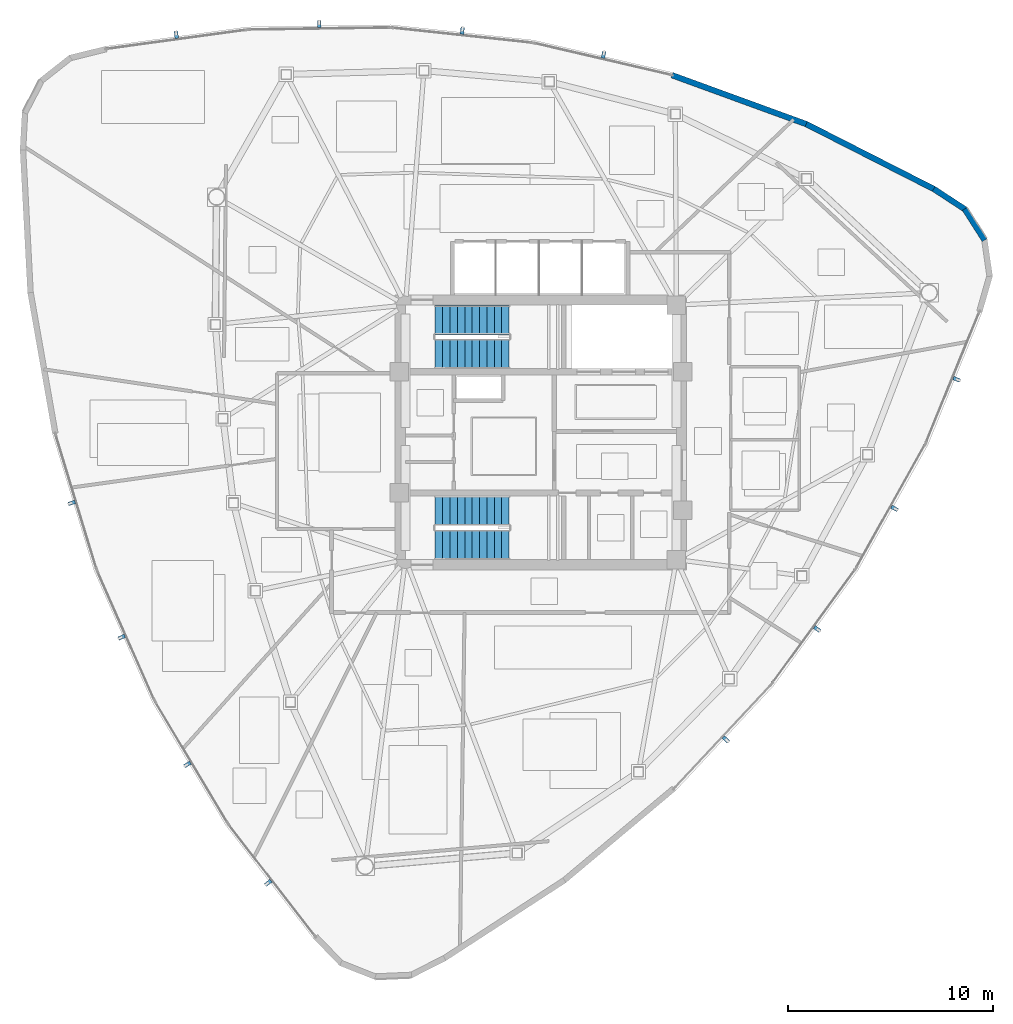
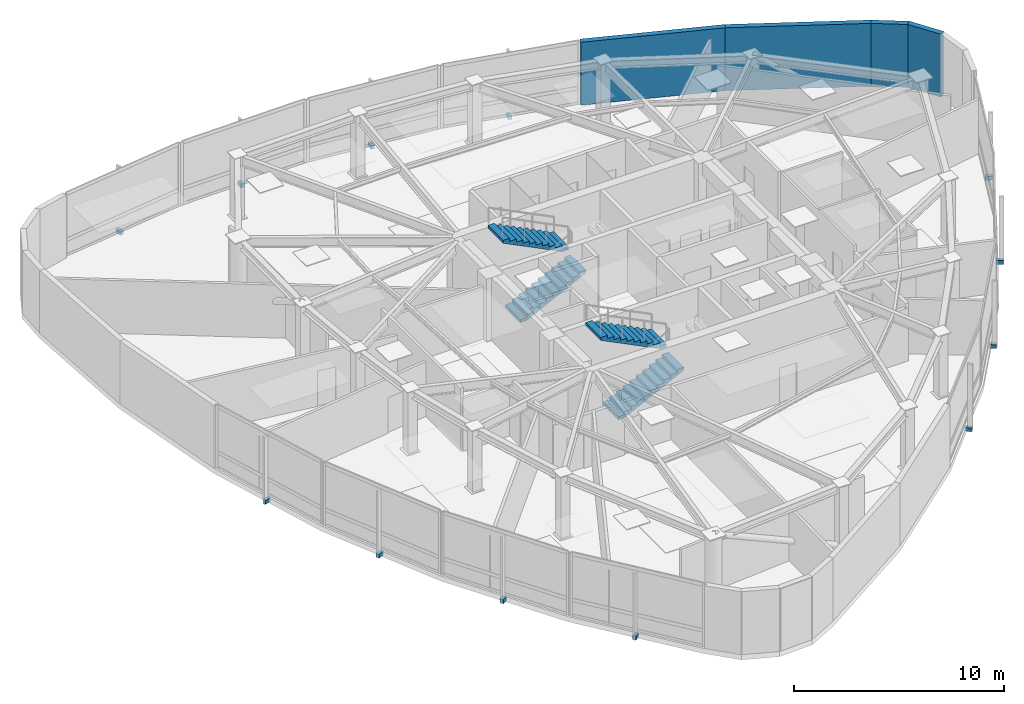
# One storey, part 11 of 14: 12 discrete accessories, 4 stair flights, 4 walls, 2 elements without a shape of their own.
"""IFC4 building model written with IfcOpenShell, lengths in metres."""

from ifc_helpers import new_model, si_unit, direction, frame, frame_2d, origin, origin_2d, place, context, subcontext, project, spatial, polyline, rectangle, outline, extrude, source, transform, mapped, material, layer, layer_set, type_object, type_shapes, element, aggregate, save


model = new_model("IFC4")

# Units and contexts
model_context = context("Model", 3, precision=1e-05, world=origin(), true_north=direction((0.0, 1.0)))
body_context = subcontext(model_context, "Body", "Model", "MODEL_VIEW")
ifc_project = project(units=[si_unit("LENGTHUNIT", "METRE"), si_unit("AREAUNIT", "SQUARE_METRE"), si_unit("VOLUMEUNIT", "CUBIC_METRE"), si_unit("PLANEANGLEUNIT", "RADIAN"), si_unit("MASSUNIT", "GRAM", prefix="KILO")], contexts=[model_context])

# Site, building, storey
site_placement = place(None, origin())
site = spatial("IfcSite", under=ifc_project, at=site_placement, CompositionType="ELEMENT")
building_placement = place(site_placement, origin())
building = spatial("IfcBuilding", under=site, at=building_placement, Name="Tavelor Broadcast Tower", CompositionType="ELEMENT")
storey_placement = place(building_placement, frame((0.0, 0.0, 253.75)))
storey = spatial("IfcBuildingStorey", under=building, at=storey_placement, Name="L60", CompositionType="ELEMENT", Elevation=253.75)

# Walls
ifc_material_1 = material(Name="Precast Concrete C40/50", Category="concrete")
ifc_layer = layer(ifc_material_1, 0.280029296875)
ifc_layer_set = layer_set([ifc_layer], Name="Precast Concrete C40/50")
wall_type = type_object("IfcWallType", Name="Insulated Precast Terracotta Facade Wall 280 mm", PredefinedType="STANDARD", material=ifc_layer_set)
wall_1_placement = place(storey_placement, frame((71.61669921875, 54.3623046875, 0.0), z_axis=(0.0, 0.0, 1.0), x_axis=(-0.538074313657, 0.842897403592, 0.0)))
element("IfcWall", 1, at=wall_1_placement, inside=storey, type_object=wall_type, Name="L60 Rounded Corner Structural Cladding Pier 23", PredefinedType="STANDARD", context=body_context, shape_type="SweptSolid", body=[
    extrude(rectangle(XDim=1.804443359375, YDim=0.280029296875, at=frame_2d((0.90234375, 0.0))), origin(), (0.0, 0.0, 1.0), 3.64990234375),
])
wall_2_placement = place(storey_placement, frame((70.66650390625, 55.862548828125, 0.0), z_axis=(0.0, 0.0, 1.0), x_axis=(-0.837275498284, 0.546781254226, 0.0)))
element("IfcWall", 2, at=wall_2_placement, inside=storey, type_object=wall_type, Name="L60 Rounded Corner Structural Cladding Pier 24", PredefinedType="STANDARD", context=body_context, shape_type="SweptSolid", body=[
    extrude(rectangle(XDim=1.8271484375, YDim=0.280029296875, at=frame_2d((0.91357421875, 0.0))), origin(), (0.0, 0.0, 1.0), 3.64990234375),
])
wall_3_placement = place(storey_placement, frame((69.16259765625, 56.8466796875, 0.0), z_axis=(0.0, 0.0, 1.0), x_axis=(-0.891208253526, 0.453594365979, 0.0)))
element("IfcWall", 3, at=wall_3_placement, inside=storey, type_object=wall_type, Name="L60 Rounded Corner Structural Cladding Pier 25", PredefinedType="STANDARD", context=body_context, shape_type="SweptSolid", body=[
    extrude(rectangle(XDim=6.9970703125, YDim=0.280029296875, at=frame_2d((3.49853515625, 0.0))), origin(), (0.0, 0.0, 1.0), 3.64990234375),
])
wall_4_placement = place(storey_placement, frame((62.954345703125, 60.008544921875, 0.0), z_axis=(0.0, 0.0, 1.0), x_axis=(-0.939538048842, 0.342444528032, 0.0)))
element("IfcWall", 4, at=wall_4_placement, inside=storey, type_object=wall_type, Name="L60 Rounded Corner Structural Cladding Pier 26", PredefinedType="STANDARD", context=body_context, shape_type="SweptSolid", body=[
    extrude(rectangle(XDim=6.9853515625, YDim=0.280029296875, at=frame_2d((3.49267578125, 0.0))), origin(), (0.0, 0.0, 1.0), 3.64990234375),
])

# Stair, stair flights
ifc_material_2 = material(Name="Concrete C40/50", Category="concrete")
stair_type = type_object("IfcStairType", Name="Reinforced Concrete Protected Dogleg Stair 1450 mm", PredefinedType="HALF_TURN_STAIR", material=ifc_material_2)
stair_1_placement = place(storey_placement, origin())
stair_1 = element("IfcStair", 5, at=stair_1_placement, inside=storey, type_object=stair_type, Name="L60 Protected Core Exit Stair ST1", PredefinedType="HALF_TURN_STAIR")
stair_flight_type = type_object("IfcStairFlightType", Name="Reinforced Concrete Stair Flight 1450 mm", PredefinedType="STRAIGHT", material=ifc_material_2)
stair_flight_1_placement = place(storey_placement, frame((44.85009765625, 48.824951171875, 0.0), z_axis=(0.0, 0.0, 1.0), x_axis=(1.0, 0.0, 0.0)))
stair_flight_1 = element("IfcStairFlight", 6, at=stair_flight_1_placement, type_object=stair_flight_type, Name="ST1 flight 1", NumberOfRisers=11, NumberOfTreads=10, PredefinedType="STRAIGHT", RiserHeight=0.179545455, TreadLength=0.36, context=body_context, shape_type="SweptSolid", body=[
    extrude(outline(polyline([(0.0, 0.0), (0.0, 0.179443359375), (0.360107421875, 0.179443359375), (0.360107421875, 0.359130859375), (0.719970703125, 0.359130859375), (0.719970703125, 0.53857421875), (1.080078125, 0.53857421875), (1.080078125, 0.71826171875), (1.43994140625, 0.71826171875), (1.43994140625, 0.897705078125), (1.800048828125, 0.897705078125), (1.800048828125, 1.077392578125), (2.159912109375, 1.077392578125), (2.159912109375, 1.2568359375), (2.52001953125, 1.2568359375), (2.52001953125, 1.436279296875), (2.8798828125, 1.436279296875), (2.8798828125, 1.615966796875), (3.239990234375, 1.615966796875), (3.239990234375, 1.79541015625), (3.60009765625, 1.79541015625), (3.60009765625, 1.97509765625), (3.60009765625, 1.6279296875), (0.3359375, 0.0), (0.0, 0.0)])), frame((0.0, 0.72509765625, 0.0), z_axis=(0.0, -1.0, 0.0), x_axis=(1.0, 0.0, 0.0)), (0.0, 0.0, 1.0), 1.449951171875),
])
stair_flight_2_placement = place(storey_placement, frame((48.449951171875, 50.47509765625, 1.97509765625), z_axis=(0.0, 0.0, 1.0), x_axis=(-1.0, 0.0, 0.0)))
stair_flight_2 = element("IfcStairFlight", 7, at=stair_flight_2_placement, type_object=stair_flight_type, Name="ST1 flight 2", NumberOfRisers=11, NumberOfTreads=10, PredefinedType="STRAIGHT", RiserHeight=0.179545455, TreadLength=0.36, context=body_context, shape_type="SweptSolid", body=[
    extrude(outline(polyline([(0.0, 0.0), (0.0, 0.179443359375), (0.360107421875, 0.179443359375), (0.360107421875, 0.359130859375), (0.719970703125, 0.359130859375), (0.719970703125, 0.53857421875), (1.080078125, 0.53857421875), (1.080078125, 0.71826171875), (1.43994140625, 0.71826171875), (1.43994140625, 0.897705078125), (1.800048828125, 0.897705078125), (1.800048828125, 1.077392578125), (2.159912109375, 1.077392578125), (2.159912109375, 1.2568359375), (2.52001953125, 1.2568359375), (2.52001953125, 1.436279296875), (2.8798828125, 1.436279296875), (2.8798828125, 1.615966796875), (3.239990234375, 1.615966796875), (3.239990234375, 1.79541015625), (3.60009765625, 1.79541015625), (3.60009765625, 1.97509765625), (3.60009765625, 1.6279296875), (0.3359375, 0.0), (0.0, 0.0)])), frame((0.0, 0.72509765625, 0.0), z_axis=(0.0, -1.0, 0.0), x_axis=(1.0, 0.0, 0.0)), (0.0, 0.0, 1.0), 1.449951171875),
])
aggregate(stair_1, [stair_flight_1, stair_flight_2])

stair_2_placement = place(storey_placement, origin())
stair_2 = element("IfcStair", 8, at=stair_2_placement, inside=storey, type_object=stair_type, Name="L60 Protected Core Exit Stair ST2", PredefinedType="HALF_TURN_STAIR")
stair_flight_3_placement = place(storey_placement, frame((44.85009765625, 39.52490234375, 0.0), z_axis=(0.0, 0.0, 1.0), x_axis=(1.0, 0.0, 0.0)))
stair_flight_3 = element("IfcStairFlight", 9, at=stair_flight_3_placement, type_object=stair_flight_type, Name="ST2 flight 1", NumberOfRisers=11, NumberOfTreads=10, PredefinedType="STRAIGHT", RiserHeight=0.179545455, TreadLength=0.36, context=body_context, shape_type="SweptSolid", body=[
    extrude(outline(polyline([(0.0, 0.0), (0.0, 0.179443359375), (0.360107421875, 0.179443359375), (0.360107421875, 0.359130859375), (0.719970703125, 0.359130859375), (0.719970703125, 0.53857421875), (1.080078125, 0.53857421875), (1.080078125, 0.71826171875), (1.43994140625, 0.71826171875), (1.43994140625, 0.897705078125), (1.800048828125, 0.897705078125), (1.800048828125, 1.077392578125), (2.159912109375, 1.077392578125), (2.159912109375, 1.2568359375), (2.52001953125, 1.2568359375), (2.52001953125, 1.436279296875), (2.8798828125, 1.436279296875), (2.8798828125, 1.615966796875), (3.239990234375, 1.615966796875), (3.239990234375, 1.79541015625), (3.60009765625, 1.79541015625), (3.60009765625, 1.97509765625), (3.60009765625, 1.6279296875), (0.3359375, 0.0), (0.0, 0.0)])), frame((0.0, 0.72509765625, 0.0), z_axis=(0.0, -1.0, 0.0), x_axis=(1.0, 0.0, 0.0)), (0.0, 0.0, 1.0), 1.449951171875),
])
stair_flight_4_placement = place(storey_placement, frame((48.449951171875, 41.175048828125, 1.97509765625), z_axis=(0.0, 0.0, 1.0), x_axis=(-1.0, 0.0, 0.0)))
stair_flight_4 = element("IfcStairFlight", 10, at=stair_flight_4_placement, type_object=stair_flight_type, Name="ST2 flight 2", NumberOfRisers=11, NumberOfTreads=10, PredefinedType="STRAIGHT", RiserHeight=0.179545455, TreadLength=0.36, context=body_context, shape_type="SweptSolid", body=[
    extrude(outline(polyline([(0.0, 0.0), (0.0, 0.179443359375), (0.360107421875, 0.179443359375), (0.360107421875, 0.359130859375), (0.719970703125, 0.359130859375), (0.719970703125, 0.53857421875), (1.080078125, 0.53857421875), (1.080078125, 0.71826171875), (1.43994140625, 0.71826171875), (1.43994140625, 0.897705078125), (1.800048828125, 0.897705078125), (1.800048828125, 1.077392578125), (2.159912109375, 1.077392578125), (2.159912109375, 1.2568359375), (2.52001953125, 1.2568359375), (2.52001953125, 1.436279296875), (2.8798828125, 1.436279296875), (2.8798828125, 1.615966796875), (3.239990234375, 1.615966796875), (3.239990234375, 1.79541015625), (3.60009765625, 1.79541015625), (3.60009765625, 1.97509765625), (3.60009765625, 1.6279296875), (0.3359375, 0.0), (0.0, 0.0)])), frame((0.0, 0.72509765625, 0.0), z_axis=(0.0, -1.0, 0.0), x_axis=(1.0, 0.0, 0.0)), (0.0, 0.0, 1.0), 1.449951171875),
])
aggregate(stair_2, [stair_flight_3, stair_flight_4])

# Discrete accessories
ifc_material_3 = material(Name="Steel S355", Category="steel")
discrete_accessory_type = type_object("IfcDiscreteAccessoryType", Name="Stainless Baguette Outrigger Support Bracket 260x180", PredefinedType="BRACKET", material=ifc_material_3)
shared_shape = source(origin(), body_context, "Body", "SweptSolid", [
    extrude(rectangle(XDim=0.179931640625, YDim=0.340087890625, at=origin_2d()), origin(), (0.0, 0.0, 1.0), 0.216064453125),
])
type_shapes(discrete_accessory_type, [shared_shape])
for number, where, z_axis, x_axis, name in (
    (11, (27.1376953125, 41.56005859375, -0.2578125), (0.0, 0.0, 1.0), (0.291203140148, -0.956661241594, 0.0), "L60 Baguette Outrigger Bracket 625"),
    (12, (29.57080078125, 35.017578125, -0.2578125), (0.0, 0.0, 1.0), (0.404662829014, -0.914465961539, 0.0), "L60 Baguette Outrigger Bracket 626"),
    (13, (32.777587890625, 28.81787109375, -0.2578125), (0.0, 0.0, 1.0), (0.512492545011, -0.858691674181, 0.0), "L60 Baguette Outrigger Bracket 627"),
    (14, (36.711181640625, 23.051513671875, -0.2578125), (0.0, 0.0, 1.0), (0.612631200187, -0.790368909154, 0.0), "L60 Baguette Outrigger Bracket 628"),
    (15, (59.01025390625, 30.038330078125, -0.2578125), (0.0, 0.0, 1.0), (0.683018857343, 0.730400739673, 0.0), "L60 Baguette Outrigger Bracket 629"),
    (16, (63.459716796875, 35.41650390625, -0.2578125), (0.0, 0.0, 1.0), (0.589619339082, 0.807681270663, 0.0), "L60 Baguette Outrigger Bracket 630"),
    (17, (67.225341796875, 41.293701171875, -0.2578125), (0.0, 0.0, 1.0), (0.487402531354, 0.87317740032, 0.0), "L60 Baguette Outrigger Bracket 631"),
    (18, (70.252197265625, 47.58349609375, -0.2578125), (0.0, 0.0, 1.0), (0.378163953596, 0.92573863709, 0.0), "L60 Baguette Outrigger Bracket 632"),
    (19, (53.052001953125, 63.401611328125, -0.2578125), (0.0, 0.0, 1.0), (-0.974055024171, 0.226311311886, 0.0), "L60 Baguette Outrigger Bracket 633"),
    (20, (46.169677734375, 64.565673828125, -0.2578125), (0.0, 0.0, 1.0), (-0.994300790397, 0.106611154275, 0.0), "L60 Baguette Outrigger Bracket 634"),
    (21, (39.197021484375, 64.888427734375, -0.2578125), (0.0, 0.0, 1.0), (-0.999895076365, -0.014485726139, 0.0), "L60 Baguette Outrigger Bracket 635"),
    (22, (32.236572265625, 64.364990234375, -0.2578125), (0.0, 0.0, 1.0), (-0.990795153782, -0.135369727936, 0.0), "L60 Baguette Outrigger Bracket 636"),
):
    element("IfcDiscreteAccessory", number, at=place(storey_placement, frame(where, z_axis=z_axis, x_axis=x_axis)), inside=storey, type_object=discrete_accessory_type, Name=name, PredefinedType="BRACKET", context=body_context, shape_type="MappedRepresentation", body=[
        mapped(shared_shape, transform((0.0, 0.0, 0.0), scale=1.0)),
    ])

save(model, "model.ifc")
